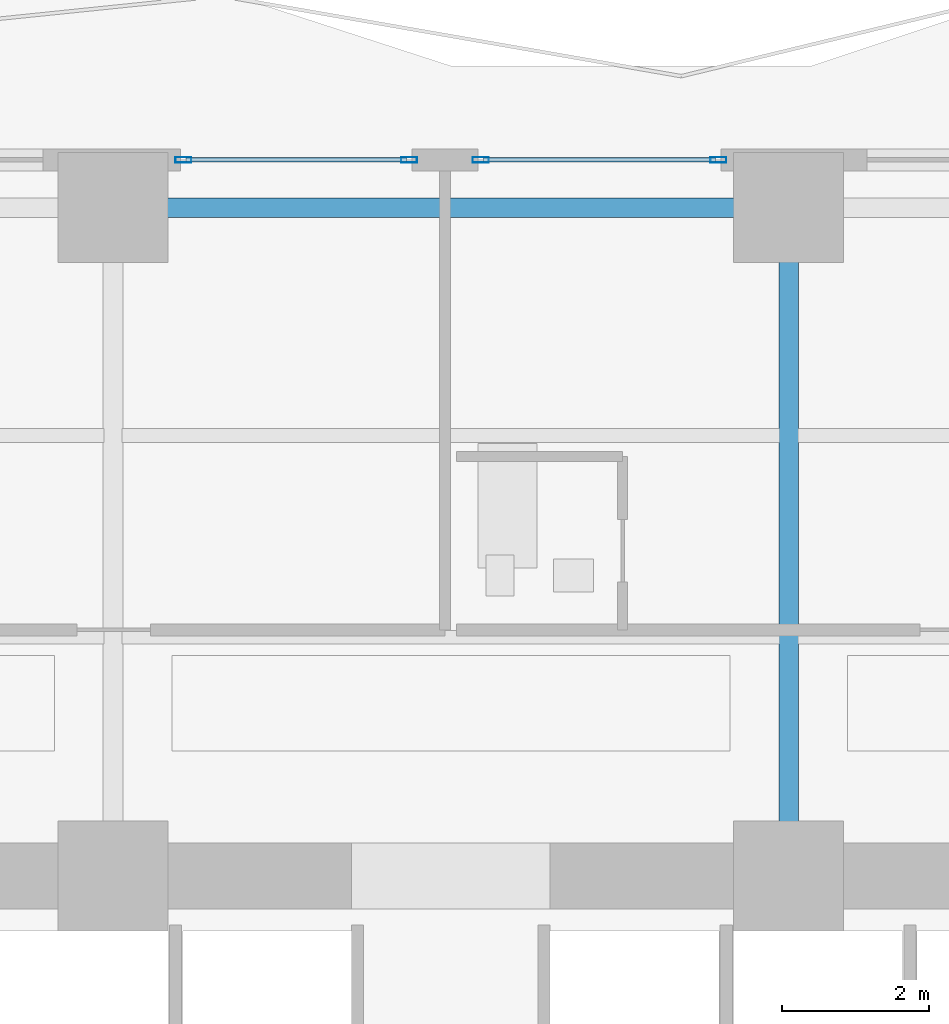
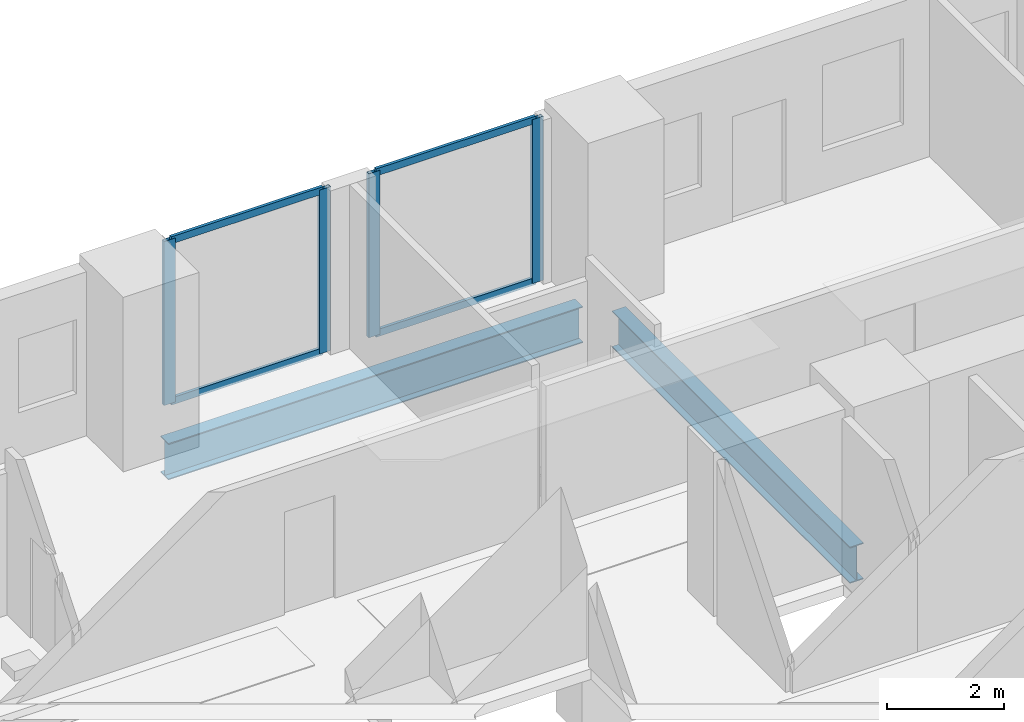
# One storey, part 15 of 28: 8 members, 2 beams, 2 elements without a shape of their own.
"""IFC4 building model written with IfcOpenShell, lengths in metres."""

import ifcopenshell
import ifcopenshell.guid

model = None  # the IFC model being written
_history = None  # IfcOwnerHistory: only IFC2X3 demands one
_inside = {}  # id of a spatial element -> (the spatial element, [elements in it])
_under = {}  # id of a project, library or spatial element -> (it, [spatial elements below it])
_declared = {}  # id of a project -> (the project, [libraries it declares])
_typed = {}  # id of a type object -> (the type object, [elements of that type])
_made_of = {}  # id of a material, layer set ... -> (it, [elements and type objects made of it])


def new_model(schema):
    """Start an empty IFC model of exactly this schema.

    Asked for "IFC4X3", IfcOpenShell would pick the latest addendum, in which some entities
    have other attributes; the version numbers below select the first issue.
    IFC2X3 requires an IfcOwnerHistory on every rooted entity: one is made here for all.
    """
    global model, _history
    if schema == "IFC4X3":
        model = ifcopenshell.file(schema_version=(4, 3, 0, 0))
    else:
        model = ifcopenshell.file(schema=schema)
    _inside.clear()
    _under.clear()
    _declared.clear()
    _typed.clear()
    _made_of.clear()
    _history = None
    if model.schema == "IFC2X3":
        org = make("IfcOrganization", Name="unknown")
        user = make(
            "IfcPersonAndOrganization",
            ThePerson=make("IfcPerson", FamilyName="unknown"),
            TheOrganization=org,
        )
        app = make(
            "IfcApplication",
            ApplicationDeveloper=org,
            Version="unknown",
            ApplicationFullName="unknown",
            ApplicationIdentifier="unknown",
        )
        _history = make(
            "IfcOwnerHistory",
            OwningUser=user,
            OwningApplication=app,
            ChangeAction="ADDED",
            CreationDate=0,
        )
    return model


def make(cls, **values):
    """One entity of the class cls with the attributes given. An attribute that is None is left unset."""
    return model.create_entity(
        cls, **{name: value for name, value in values.items() if value is not None}
    )


def rooted(cls, **values):
    """An entity with a GlobalId (a new one), such as an element, a storey or a relation."""
    return make(cls, GlobalId=ifcopenshell.guid.new(), OwnerHistory=_history, **values)


def si_unit(unit_type, name, prefix=None):
    """IfcSIUnit, for example si_unit("LENGTHUNIT", "METRE", prefix="MILLI")."""
    return make("IfcSIUnit", UnitType=unit_type, Prefix=prefix, Name=name)


def assignment(units):
    """IfcUnitAssignment: the units of a project."""
    return None if units is None else make("IfcUnitAssignment", Units=units)


def point(xyz):
    """IfcCartesianPoint."""
    return None if xyz is None else make("IfcCartesianPoint", Coordinates=xyz)


def direction(xyz):
    """IfcDirection."""
    return None if xyz is None else make("IfcDirection", DirectionRatios=xyz)


def frame(location, z_axis=None, x_axis=None):
    """IfcAxis2Placement3D, a coordinate frame: its origin and axes. An axis left out is left unset."""
    return make(
        "IfcAxis2Placement3D",
        Location=point(location),
        Axis=direction(z_axis),
        RefDirection=direction(x_axis),
    )


def frame_2d(location, x_axis=None):
    """IfcAxis2Placement2D, a coordinate frame in the plane: its origin and x axis."""
    return make(
        "IfcAxis2Placement2D", Location=point(location), RefDirection=direction(x_axis)
    )


def origin():
    """The frame at (0, 0, 0) with its axes left unset."""
    return frame((0.0, 0.0, 0.0))


def origin_2d():
    """The frame at (0, 0) in the plane with its x axis left unset."""
    return frame_2d((0.0, 0.0))


def place(relative_to, where):
    """IfcLocalPlacement: puts the frame where relative to a parent placement (None: the world)."""
    return make(
        "IfcLocalPlacement", PlacementRelTo=relative_to, RelativePlacement=where
    )


def context(
    kind, dimensions, precision=None, world=None, true_north=None, identifier=None
):
    """IfcGeometricRepresentationContext, for example the 3D "Model" context."""
    return make(
        "IfcGeometricRepresentationContext",
        ContextIdentifier=identifier,
        ContextType=kind,
        CoordinateSpaceDimension=dimensions,
        Precision=precision,
        WorldCoordinateSystem=world,
        TrueNorth=true_north,
    )


def subcontext(parent, identifier, kind, view, scale=None):
    """IfcGeometricRepresentationSubContext, for example "Body" below "Model"."""
    return make(
        "IfcGeometricRepresentationSubContext",
        ContextIdentifier=identifier,
        ContextType=kind,
        ParentContext=parent,
        TargetScale=scale,
        TargetView=view,
    )


def project(units=None, contexts=None):
    """IfcProject with its units and contexts."""
    return rooted(
        "IfcProject",
        Name="project",
        RepresentationContexts=contexts,
        UnitsInContext=assignment(units),
    )


def spatial(cls, under=None, at=None, **own):
    """A site, building, storey or space (cls), placed at a placement, below another one or the project."""
    s = rooted(cls, ObjectPlacement=at, **own)
    if under is not None:
        _under.setdefault(under.id(), (under, []))[1].append(s)
    return s


def profile(cls, at=None, kind="AREA", **sizes):
    """A parametric profile (cls). Its sizes go by their IFC names, for example OverallWidth=200.0."""
    return make(cls, ProfileType=kind, Position=at, **sizes)


def hollow_rectangle(**sizes):
    """IfcRectangleHollowProfileDef."""
    return profile("IfcRectangleHollowProfileDef", **sizes)


def i_section(**sizes):
    """IfcIShapeProfileDef."""
    return profile("IfcIShapeProfileDef", **sizes)


def extrude(swept, where, along, depth):
    """IfcExtrudedAreaSolid: the profile swept, set in the frame where, extruded along a direction by depth."""
    return make(
        "IfcExtrudedAreaSolid",
        SweptArea=swept,
        Position=where,
        ExtrudedDirection=direction(along),
        Depth=depth,
    )


def shape(context_of_items, identifier, shape_type, items):
    """IfcShapeRepresentation: the items that make up one representation, for example the "Body"."""
    return make(
        "IfcShapeRepresentation",
        ContextOfItems=context_of_items,
        RepresentationIdentifier=identifier,
        RepresentationType=shape_type,
        Items=items,
    )


def material(Name=None, Category=None):
    """IfcMaterial."""
    return make("IfcMaterial", Name=Name, Category=Category)


def layer(
    of_material, thickness, ventilated=None, Name=None, Category=None, Priority=None
):
    """IfcMaterialLayer: one layer of a wall or slab, of a material (None: an air gap)."""
    return make(
        "IfcMaterialLayer",
        Material=of_material,
        LayerThickness=thickness,
        IsVentilated=ventilated,
        Name=Name,
        Category=Category,
        Priority=Priority,
    )


def layer_set(layers, Name=None):
    """IfcMaterialLayerSet."""
    return make("IfcMaterialLayerSet", MaterialLayers=layers, LayerSetName=Name)


def material_profile(
    of_material, cross_section, Name=None, Category=None, Priority=None
):
    """IfcMaterialProfile: a cross section and its material."""
    return make(
        "IfcMaterialProfile",
        Name=Name,
        Material=of_material,
        Profile=cross_section,
        Priority=Priority,
        Category=Category,
    )


def profile_set(profiles, Name=None, composite=None):
    """IfcMaterialProfileSet."""
    return make(
        "IfcMaterialProfileSet",
        Name=Name,
        MaterialProfiles=profiles,
        CompositeProfile=composite,
    )


def made_of(thing, what):
    """Note that an element or type object is made of a material, layer set ...; save() writes the relation."""
    if what is not None:
        _made_of.setdefault(what.id(), (what, []))[1].append(thing)
    return thing


def type_object(cls, material=None, **own):
    """A type object (cls), such as IfcWallType, which elements share."""
    return made_of(rooted(cls, **own), material)


def element(
    cls,
    number,
    at=None,
    inside=None,
    cuts=None,
    type_object=None,
    material=None,
    context=None,
    identifier="Body",
    shape_type=None,
    held_by="IfcProductDefinitionShape",
    body=None,
    shapes=None,
    **own,
):
    """One element of the class cls, such as IfcWall. Its Tag is "e" and its number.

    at: its placement. inside: the storey or other place that contains it. cuts: it is an
    opening in that element (IfcRelVoidsElement). A single representation is given by context,
    identifier, shape_type and body (its items); several are given by shapes. held_by: the class
    of the entity that holds the representations. save() writes the other relations.
    """
    e = rooted(cls, Tag="e%d" % number, ObjectPlacement=at, **own)
    if body is not None:
        shapes = [shape(context, identifier, shape_type, body)]
    if shapes is not None:
        e.Representation = make(held_by, Representations=shapes)
    if inside is not None:
        _inside.setdefault(inside.id(), (inside, []))[1].append(e)
    if cuts is not None:
        rooted(
            "IfcRelVoidsElement", RelatingBuildingElement=cuts, RelatedOpeningElement=e
        )
    if type_object is not None:
        _typed.setdefault(type_object.id(), (type_object, []))[1].append(e)
    return made_of(e, material)


def aggregate(whole, parts):
    """IfcRelAggregates: a whole, such as a stair, and the parts it consists of."""
    return rooted("IfcRelAggregates", RelatingObject=whole, RelatedObjects=parts)


def save(model, path):
    """Write the relations noted so far, then the file.

    IfcRelAggregates (storeys below a building ...), IfcRelContainedInSpatialStructure (elements
    in a storey), IfcRelDefinesByType, IfcRelAssociatesMaterial and IfcRelDeclares: one each for
    every whole, place, type object, material and project.
    """
    for whole, parts in _under.values():
        aggregate(whole, parts)
    for where, things in _inside.values():
        rooted(
            "IfcRelContainedInSpatialStructure",
            RelatedElements=things,
            RelatingStructure=where,
        )
    for kind, things in _typed.values():
        rooted("IfcRelDefinesByType", RelatedObjects=things, RelatingType=kind)
    for what, things in _made_of.values():
        rooted("IfcRelAssociatesMaterial", RelatedObjects=things, RelatingMaterial=what)
    for by, libraries in _declared.values():
        rooted("IfcRelDeclares", RelatingContext=by, RelatedDefinitions=libraries)
    model.write(path)


model = new_model("IFC4")

# Units and contexts
model_context = context("Model", 3, precision=1e-05, world=origin(), true_north=direction((0.0, 1.0)))
body_context = subcontext(model_context, "Body", "Model", "MODEL_VIEW")
ifc_project = project(units=[si_unit("LENGTHUNIT", "METRE"), si_unit("AREAUNIT", "SQUARE_METRE"), si_unit("VOLUMEUNIT", "CUBIC_METRE"), si_unit("PLANEANGLEUNIT", "RADIAN"), si_unit("MASSUNIT", "GRAM", prefix="KILO")], contexts=[model_context])

# Site, building, storey
site_placement = place(None, origin())
site = spatial("IfcSite", under=ifc_project, at=site_placement, CompositionType="ELEMENT")
building_placement = place(site_placement, origin())
building = spatial("IfcBuilding", under=site, at=building_placement, Name="Zuhayl Quay Hotel", CompositionType="ELEMENT")
storey_placement = place(building_placement, frame((0.0, 0.0, 78.699951171875)))
storey = spatial("IfcBuildingStorey", under=building, at=storey_placement, Name="L19", CompositionType="ELEMENT", Elevation=78.699951171875)

# Beams
ifc_material_1 = material(Name="Steel ASTM A992 Grade 50", Category="steel")
ifc_material_profile_1 = material_profile(ifc_material_1, i_section(OverallWidth=0.26708984375, OverallDepth=0.761962890625, WebThickness=0.014404296875, FlangeThickness=0.021484375, at=origin_2d()), Name="W30X116")
ifc_profile_set_1 = profile_set([ifc_material_profile_1], Name="Steel ASTM A992 Grade 50")
beam_type = type_object("IfcBeamType", Name="BM_B1_W30X116", PredefinedType="BEAM", material=ifc_profile_set_1)
beam_1_placement = place(storey_placement, frame((4.10009765625, 22.449951171875, -0.600830078125), z_axis=(-1.0, 0.0, 0.0), x_axis=(0.0, -1.0, 0.0)))
element("IfcBeam", 1, at=beam_1_placement, inside=storey, type_object=beam_type, Name="L19 Floor Beam RG_L19_08", PredefinedType="BEAM", context=body_context, shape_type="SweptSolid", body=[
    extrude(i_section(OverallWidth=0.26708984375, OverallDepth=0.761962890625, WebThickness=0.014404296875, FlangeThickness=0.021484375, at=origin_2d()), origin(), (0.0, 0.0, 1.0), 8.2001953125),
])
beam_2_placement = place(storey_placement, frame((4.60009765625, 13.800048828125, -0.600830078125), z_axis=(0.0, 1.0, 0.0), x_axis=(-1.0, 0.0, 0.0)))
element("IfcBeam", 2, at=beam_2_placement, inside=storey, type_object=beam_type, Name="L19 Floor Beam FG_N_L19_3", PredefinedType="BEAM", context=body_context, shape_type="SweptSolid", body=[
    extrude(i_section(OverallWidth=0.26708984375, OverallDepth=0.761962890625, WebThickness=0.014404296875, FlangeThickness=0.021484375, at=origin_2d()), origin(), (0.0, 0.0, 1.0), 8.14990234375),
])

# Curtain wall, members
ifc_material_2 = material(Name="Anodised Aluminium 6063-T6", Category="aluminium")
ifc_layer = layer(ifc_material_2, 0.18994140625, Name="Anodised Aluminium 6063-T6", Category="aluminium")
ifc_layer_set = layer_set([ifc_layer], Name="Anodised Aluminium 6063-T6")
curtain_wall_type = type_object("IfcCurtainWallType", Name="CW_SYS_Z1", PredefinedType="USERDEFINED", material=ifc_layer_set)
curtain_wall_1_placement = place(storey_placement, origin())
curtain_wall_1 = element("IfcCurtainWall", 3, at=curtain_wall_1_placement, inside=storey, type_object=curtain_wall_type, Name="L19 Curtain Wall ENV_L19_N_CW2", ObjectType="UNITISED CURTAIN WALL", PredefinedType="USERDEFINED")
ifc_material_3 = material(Name="Black-anodised aluminium 6063-T6", Category="aluminium")
ifc_material_profile_2 = material_profile(ifc_material_3, hollow_rectangle(XDim=0.074951171875, YDim=0.219970703125, WallThickness=0.00390625, at=origin_2d()), Name="ALU220X75")
ifc_profile_set_2 = profile_set([ifc_material_profile_2], Name="Black-anodised aluminium 6063-T6")
member_type_1 = type_object("IfcMemberType", Name="MB_CW_MUL_220", PredefinedType="MULLION", material=ifc_profile_set_2)
member_1_placement = place(storey_placement, frame((-3.642578125, 23.10009765625, 0.0), z_axis=(0.0, 0.0, 1.0), x_axis=(0.0, 1.0, 0.0)))
member_1 = element("IfcMember", 4, at=member_1_placement, type_object=member_type_1, Name="CW-Z1 mullion 1", PredefinedType="MULLION", context=body_context, shape_type="SweptSolid", body=[
    extrude(hollow_rectangle(XDim=0.074951171875, YDim=0.219970703125, WallThickness=0.00390625, at=origin_2d()), origin(), (0.0, 0.0, 1.0), 3.429931640625),
])
member_2_placement = place(storey_placement, frame((-0.5673828125, 23.10009765625, 0.0), z_axis=(0.0, 0.0, 1.0), x_axis=(0.0, 1.0, 0.0)))
member_2 = element("IfcMember", 5, at=member_2_placement, type_object=member_type_1, Name="CW-Z1 mullion 2", PredefinedType="MULLION", context=body_context, shape_type="SweptSolid", body=[
    extrude(hollow_rectangle(XDim=0.074951171875, YDim=0.219970703125, WallThickness=0.00390625, at=origin_2d()), origin(), (0.0, 0.0, 1.0), 3.429931640625),
])

curtain_wall_2_placement = place(storey_placement, origin())
curtain_wall_2 = element("IfcCurtainWall", 6, at=curtain_wall_2_placement, inside=storey, type_object=curtain_wall_type, Name="L19 Curtain Wall ENV_L19_N_CW3", ObjectType="UNITISED CURTAIN WALL", PredefinedType="USERDEFINED")
member_3_placement = place(storey_placement, frame((0.407470703125, 23.10009765625, 0.0), z_axis=(0.0, 0.0, 1.0), x_axis=(0.0, 1.0, 0.0)))
member_3 = element("IfcMember", 7, at=member_3_placement, type_object=member_type_1, Name="CW-Z1 mullion 1", PredefinedType="MULLION", context=body_context, shape_type="SweptSolid", body=[
    extrude(hollow_rectangle(XDim=0.074951171875, YDim=0.219970703125, WallThickness=0.00390625, at=origin_2d()), origin(), (0.0, 0.0, 1.0), 3.429931640625),
])
member_4_placement = place(storey_placement, frame((3.642578125, 23.10009765625, 0.0), z_axis=(0.0, 0.0, 1.0), x_axis=(0.0, 1.0, 0.0)))
member_4 = element("IfcMember", 8, at=member_4_placement, type_object=member_type_1, Name="CW-Z1 mullion 2", PredefinedType="MULLION", context=body_context, shape_type="SweptSolid", body=[
    extrude(hollow_rectangle(XDim=0.074951171875, YDim=0.219970703125, WallThickness=0.00390625, at=origin_2d()), origin(), (0.0, 0.0, 1.0), 3.429931640625),
])

# Member
ifc_material_profile_3 = material_profile(ifc_material_3, hollow_rectangle(XDim=0.06005859375, YDim=0.14990234375, WallThickness=0.00341796875, at=origin_2d()), Name="ALU150X60")
ifc_profile_set_3 = profile_set([ifc_material_profile_3], Name="Black-anodised aluminium 6063-T6")
member_type_2 = type_object("IfcMemberType", Name="MB_CW_TRN_150", PredefinedType="USERDEFINED", material=ifc_profile_set_3)
member_5_placement = place(storey_placement, frame((-3.60498046875, 23.10009765625, 0.030029296875), z_axis=(1.0, 0.0, 0.0), x_axis=(0.0, 1.0, 0.0)))
member_5 = element("IfcMember", 9, at=member_5_placement, type_object=member_type_2, Name="CW-Z1 transom 1.1", ObjectType="TRANSOM", PredefinedType="USERDEFINED", context=body_context, shape_type="SweptSolid", body=[
    extrude(hollow_rectangle(XDim=0.06005859375, YDim=0.14990234375, WallThickness=0.00341796875, at=origin_2d()), origin(), (0.0, 0.0, 1.0), 3.0),
])

member_6_placement = place(storey_placement, frame((-3.60498046875, 23.10009765625, 3.400146484375), z_axis=(1.0, 0.0, 0.0), x_axis=(0.0, 1.0, 0.0)))
member_6 = element("IfcMember", 10, at=member_6_placement, type_object=member_type_2, Name="CW-Z1 transom 1.2", ObjectType="TRANSOM", PredefinedType="USERDEFINED", context=body_context, shape_type="SweptSolid", body=[
    extrude(hollow_rectangle(XDim=0.06005859375, YDim=0.14990234375, WallThickness=0.00341796875, at=origin_2d()), origin(), (0.0, 0.0, 1.0), 3.0),
])

aggregate(curtain_wall_1, [member_1, member_2, member_5, member_6])

member_7_placement = place(storey_placement, frame((0.445068359375, 23.10009765625, 0.030029296875), z_axis=(1.0, 0.0, 0.0), x_axis=(0.0, 1.0, 0.0)))
member_7 = element("IfcMember", 11, at=member_7_placement, type_object=member_type_2, Name="CW-Z1 transom 1.1", ObjectType="TRANSOM", PredefinedType="USERDEFINED", context=body_context, shape_type="SweptSolid", body=[
    extrude(hollow_rectangle(XDim=0.06005859375, YDim=0.14990234375, WallThickness=0.00341796875, at=origin_2d()), origin(), (0.0, 0.0, 1.0), 3.159912109375),
])

member_8_placement = place(storey_placement, frame((0.445068359375, 23.10009765625, 3.400146484375), z_axis=(1.0, 0.0, 0.0), x_axis=(0.0, 1.0, 0.0)))
member_8 = element("IfcMember", 12, at=member_8_placement, type_object=member_type_2, Name="CW-Z1 transom 1.2", ObjectType="TRANSOM", PredefinedType="USERDEFINED", context=body_context, shape_type="SweptSolid", body=[
    extrude(hollow_rectangle(XDim=0.06005859375, YDim=0.14990234375, WallThickness=0.00341796875, at=origin_2d()), origin(), (0.0, 0.0, 1.0), 3.159912109375),
])

aggregate(curtain_wall_2, [member_3, member_4, member_7, member_8])

save(model, "model.ifc")
